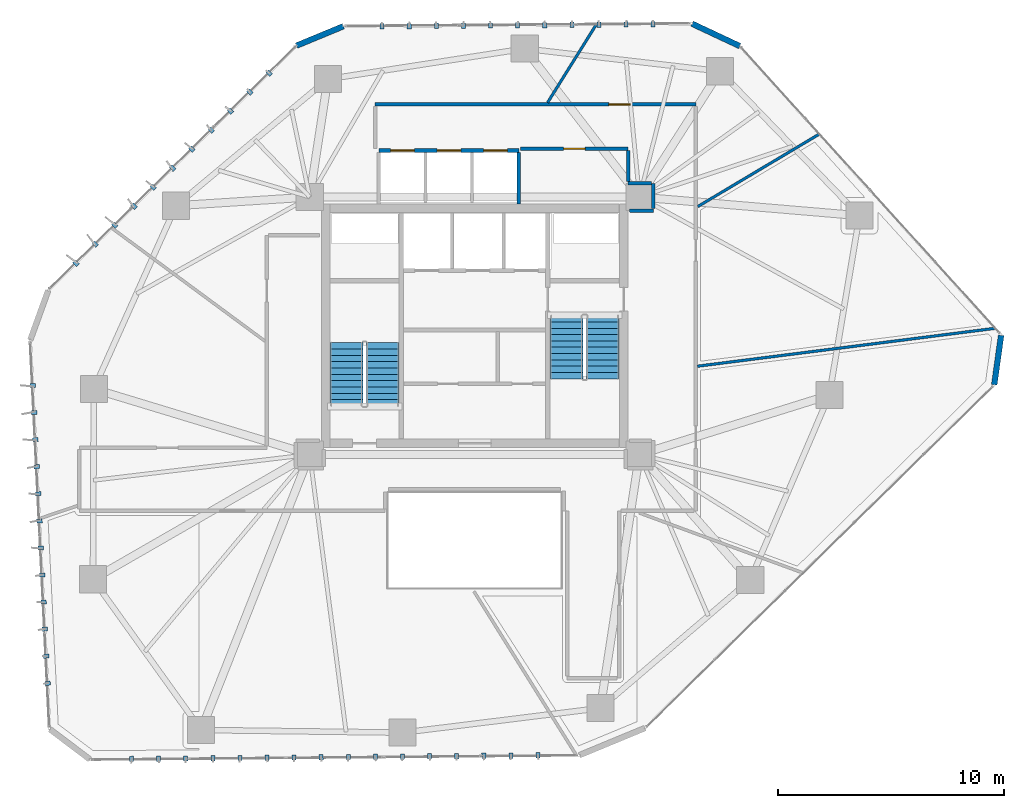
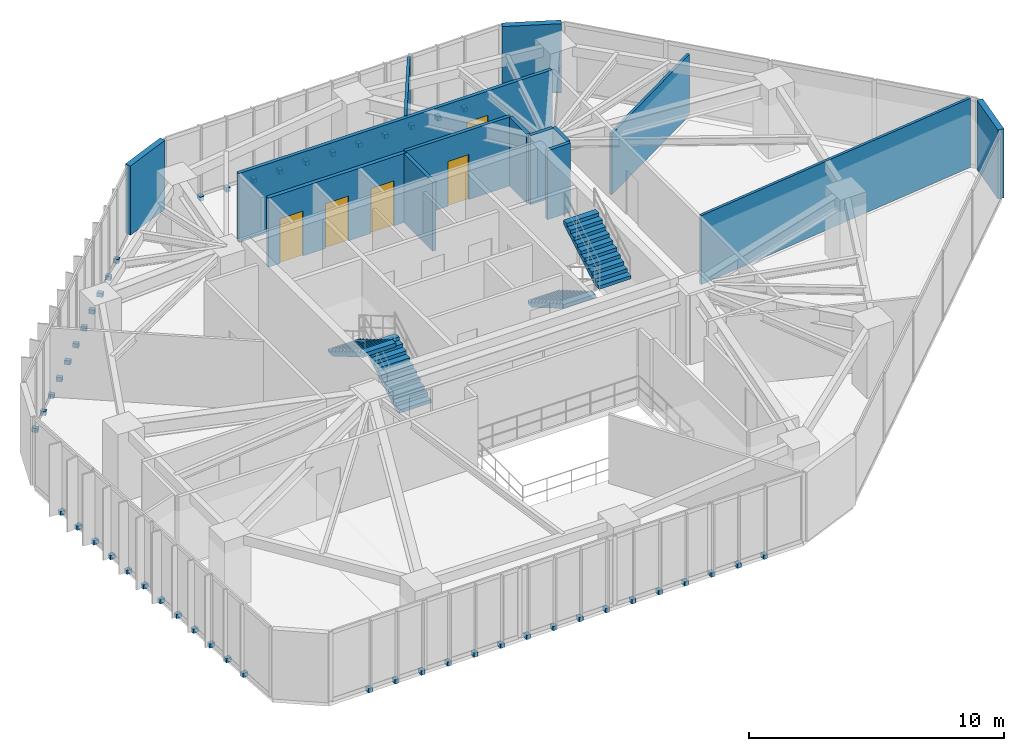
# One storey, part 19 of 21: 50 discrete accessories, 14 walls, 5 doors, 4 stair flights, 5 openings, 2 elements without a shape of their own.
"""IFC4 building model written with IfcOpenShell, lengths in metres."""

from ifc_helpers import new_model, si_unit, direction, frame, frame_2d, origin, origin_2d, place, context, subcontext, project, spatial, polyline, rectangle, outline, extrude, source, transform, mapped, material, layer, layer_set, type_object, type_shapes, element, fill, aggregate, save


model = new_model("IFC4")

# Units and contexts
model_context = context("Model", 3, precision=1e-05, world=origin(), true_north=direction((0.0, 1.0)))
body_context = subcontext(model_context, "Body", "Model", "MODEL_VIEW")
ifc_project = project(units=[si_unit("LENGTHUNIT", "METRE"), si_unit("AREAUNIT", "SQUARE_METRE"), si_unit("VOLUMEUNIT", "CUBIC_METRE"), si_unit("PLANEANGLEUNIT", "RADIAN"), si_unit("MASSUNIT", "GRAM", prefix="KILO")], contexts=[model_context])

# Site, building, storey
site_placement = place(None, origin())
site = spatial("IfcSite", under=ifc_project, at=site_placement, CompositionType="ELEMENT")
building_placement = place(site_placement, origin())
building = spatial("IfcBuilding", under=site, at=building_placement, Name="Talar Marvaseh", CompositionType="ELEMENT")
storey_placement = place(building_placement, frame((0.0, 0.0, 93.0)))
storey = spatial("IfcBuildingStorey", under=building, at=storey_placement, Name="L23", CompositionType="ELEMENT", Elevation=93.0)

# Walls
ifc_material_1 = material(Name="Precast concrete C45/55", Category="concrete")
ifc_layer_1 = layer(ifc_material_1, 0.2548828125)
ifc_layer_set_1 = layer_set([ifc_layer_1], Name="Precast concrete C45/55")
wall_type_1 = type_object("IfcWallType", Name="Chamfered Hexagonal Corner Pier Wall Z2 255", PredefinedType="SOLIDWALL", material=ifc_layer_set_1)
wall_1_placement = place(storey_placement, frame((18.114013671875, 43.605224609375, 0.0), z_axis=(0.0, 0.0, 1.0), x_axis=(0.923869697035, 0.382707176441, 0.0)))
element("IfcWall", 1, at=wall_1_placement, inside=storey, type_object=wall_type_1, Name="L23 Chamfered Corner Limestone Pier 3", PredefinedType="SOLIDWALL", context=body_context, shape_type="SweptSolid", body=[
    extrude(rectangle(XDim=2.244873046875, YDim=0.2548828125, at=frame_2d((1.12255859375, 0.0))), origin(), (0.0, 0.0, 1.0), 3.31005859375),
])
wall_2_placement = place(storey_placement, frame((35.626220703125, 44.579345703125, 0.0), z_axis=(0.0, 0.0, 1.0), x_axis=(0.905387528045, -0.42458617978, 0.0)))
element("IfcWall", 2, at=wall_2_placement, inside=storey, type_object=wall_type_1, Name="L23 Chamfered Corner Limestone Pier 4", PredefinedType="SOLIDWALL", context=body_context, shape_type="SweptSolid", body=[
    extrude(rectangle(XDim=2.3408203125, YDim=0.2548828125, at=frame_2d((1.17041015625, 0.0))), origin(), (0.0, 0.0, 1.0), 3.31005859375),
])
wall_3_placement = place(storey_placement, frame((49.317138671875, 30.77783203125, 0.0), z_axis=(0.0, 0.0, 1.0), x_axis=(-0.137904558931, -0.990445522291, 0.0)))
element("IfcWall", 3, at=wall_3_placement, inside=storey, type_object=wall_type_1, Name="L23 Chamfered Corner Limestone Pier 5", PredefinedType="SOLIDWALL", context=body_context, shape_type="SweptSolid", body=[
    extrude(rectangle(XDim=2.216552734375, YDim=0.2548828125, at=frame_2d((1.1083984375, 0.0))), origin(), (0.0, 0.0, 1.0), 3.31005859375),
])

# Wall, opening, door
ifc_material_2 = material(Name="Gypsum Board Partition Assembly")
ifc_layer_2 = layer(ifc_material_2, 0.155029296875)
ifc_layer_set_2 = layer_set([ifc_layer_2], Name="Gypsum Board Partition Assembly")
wall_type_2 = type_object("IfcWallType", Name="Corridor Fire-Rated Acoustic Partition 155", PredefinedType="PARTITIONING", material=ifc_layer_set_2)
wall_4_placement = place(storey_placement, frame((32.800048828125, 39.0400390625, 0.0), z_axis=(0.0, 0.0, 1.0), x_axis=(-1.0, 0.0, 0.0)))
wall_4 = element("IfcWall", 4, at=wall_4_placement, inside=storey, type_object=wall_type_2, Name="L23 Interior Partition Wall", PredefinedType="PARTITIONING", context=body_context, shape_type="SweptSolid", body=[
    extrude(rectangle(XDim=4.77001953125, YDim=0.155029296875, at=frame_2d((2.385009765625, 0.0))), origin(), (0.0, 0.0, 1.0), 3.31005859375),
])
opening_1_placement = place(wall_4_placement, frame((1.909912109375, 0.0, 0.0)))
opening_1 = element("IfcOpeningElement", 5, at=opening_1_placement, cuts=wall_4, Name="Opening DR-WC095", PredefinedType="OPENING", context=body_context, shape_type="SweptSolid", body=[
    extrude(rectangle(XDim=0.949951171875, YDim=2.14990234375, at=frame_2d((0.47509765625, 1.074951171875))), frame((0.0, 0.08740234375, 0.0), z_axis=(0.0, -1.0, 0.0), x_axis=(1.0, 0.0, 0.0)), (0.0, 0.0, 1.0), 0.175048828125),
])
ifc_material_3 = material(Name="Acoustic Engineered Oak Timber", Category="wood")
door_type_1 = type_object("IfcDoorType", Name="Washroom and Service Room Door 950x2150", OperationType="NOTDEFINED", PredefinedType="DOOR", material=ifc_material_3)
shared_shape_1 = source(origin(), body_context, "Body", "SweptSolid", [
    extrude(rectangle(XDim=0.949951171875, YDim=2.14990234375, at=frame_2d((0.47509765625, 1.074951171875))), frame((0.0, 0.02490234375, 0.0), z_axis=(0.0, -1.0, 0.0), x_axis=(1.0, 0.0, 0.0)), (0.0, 0.0, 1.0), 0.050048828125),
])
type_shapes(door_type_1, [shared_shape_1])
door_1_placement = place(opening_1_placement, origin())
door_1 = element("IfcDoor", 6, at=door_1_placement, inside=storey, type_object=door_type_1, Name="L23 WC Public Washrooms Door", OperationType="SINGLE_SWING_LEFT", OverallHeight=2.14990234375, OverallWidth=0.949951171875, PredefinedType="DOOR", context=body_context, shape_type="MappedRepresentation", body=[
    mapped(shared_shape_1, transform((0.0, 0.0, 0.0), x_axis=(1.0, 0.0, 0.0), y_axis=(0.0, 1.0, 0.0), z_axis=(0.0, 0.0, 1.0), scale=1.0)),
])
fill(opening_1, door_1)

wall_5_placement = place(storey_placement, frame((21.60009765625, 41.0, 0.0), z_axis=(0.0, 0.0, 1.0), x_axis=(1.0, 0.0, 0.0)))
wall_5 = element("IfcWall", 7, at=wall_5_placement, inside=storey, type_object=wall_type_2, Name="L23 Interior Partition Wall", PredefinedType="PARTITIONING", context=body_context, shape_type="SweptSolid", body=[
    extrude(rectangle(XDim=14.199951171875, YDim=0.155029296875, at=frame_2d((7.10009765625, 0.0))), origin(), (0.0, 0.0, 1.0), 3.31005859375),
])
opening_2_placement = place(wall_5_placement, frame((10.3466796875, 0.0, 0.0)))
opening_2 = element("IfcOpeningElement", 8, at=opening_2_placement, cuts=wall_5, Name="Opening DR-WC095", PredefinedType="OPENING", context=body_context, shape_type="SweptSolid", body=[
    extrude(rectangle(XDim=0.949951171875, YDim=2.14990234375, at=frame_2d((0.47509765625, 1.074951171875))), frame((0.0, 0.08740234375, 0.0), z_axis=(0.0, -1.0, 0.0), x_axis=(1.0, 0.0, 0.0)), (0.0, 0.0, 1.0), 0.175048828125),
])
door_2_placement = place(opening_2_placement, origin())
door_2 = element("IfcDoor", 9, at=door_2_placement, inside=storey, type_object=door_type_1, Name="L23 Accessible WC Block Door", OperationType="SINGLE_SWING_RIGHT", OverallHeight=2.14990234375, OverallWidth=0.949951171875, PredefinedType="DOOR", context=body_context, shape_type="MappedRepresentation", body=[
    mapped(shared_shape_1, transform((0.0, 0.0, 0.0), x_axis=(1.0, 0.0, 0.0), y_axis=(0.0, 1.0, 0.0), z_axis=(0.0, 0.0, 1.0), scale=1.0)),
])
fill(opening_2, door_2)

# Walls
wall_6_placement = place(storey_placement, frame((32.8701171875, 36.284912109375, 0.0), z_axis=(0.0, 0.0, 1.0), x_axis=(0.999895094683, 0.014484461652, 0.0)))
element("IfcWall", 10, at=wall_6_placement, inside=storey, type_object=wall_type_2, Name="L23 Interior Partition Wall", PredefinedType="PARTITIONING", context=body_context, shape_type="SweptSolid", body=[
    extrude(rectangle(XDim=1.044921875, YDim=0.155029296875, at=frame_2d((0.5224609375, 0.0))), origin(), (0.0, 0.0, 1.0), 3.31005859375),
])
wall_7_placement = place(storey_placement, frame((33.914794921875, 36.383544921875, 0.0), z_axis=(0.0, 0.0, 1.0), x_axis=(-0.003682817312, 0.999993218405, 0.0)))
element("IfcWall", 11, at=wall_7_placement, inside=storey, type_object=wall_type_2, Name="L23 Interior Partition Wall", PredefinedType="PARTITIONING", context=body_context, shape_type="SweptSolid", body=[
    extrude(rectangle(XDim=1.126953125, YDim=0.155029296875, at=frame_2d((0.5634765625, 0.0))), origin(), (0.0, 0.0, 1.0), 3.31005859375),
])
wall_8_placement = place(storey_placement, frame((33.8271484375, 37.510986328125, 0.0), z_axis=(0.0, 0.0, 1.0), x_axis=(-0.99999276797, 0.003803157663, 0.0)))
element("IfcWall", 12, at=wall_8_placement, inside=storey, type_object=wall_type_2, Name="L23 Interior Partition Wall", PredefinedType="PARTITIONING", context=body_context, shape_type="SweptSolid", body=[
    extrude(rectangle(XDim=1.027099609375, YDim=0.155029296875, at=frame_2d((0.513671875, 0.0))), origin(), (0.0, 0.0, 1.0), 3.31005859375),
])
wall_9_placement = place(storey_placement, frame((32.800048828125, 37.598388671875, 0.0), z_axis=(0.0, 0.0, 1.0), x_axis=(0.0, 1.0, 0.0)))
element("IfcWall", 13, at=wall_9_placement, inside=storey, type_object=wall_type_2, Name="L23 Interior Partition Wall", PredefinedType="PARTITIONING", context=body_context, shape_type="SweptSolid", body=[
    extrude(rectangle(XDim=1.358154296875, YDim=0.155029296875, at=frame_2d((0.67919921875, 0.0))), origin(), (0.0, 0.0, 1.0), 3.31005859375),
])
ifc_layer_3 = layer(ifc_material_2, 0.1201171875)
ifc_layer_set_3 = layer_set([ifc_layer_3], Name="Gypsum Board Partition Assembly")
wall_type_3 = type_object("IfcWallType", Name="Demountable Studio Room Partition 120", PredefinedType="PARTITIONING", material=ifc_layer_set_3)
wall_10_placement = place(storey_placement, frame((35.864501953125, 29.408203125, 0.0), z_axis=(0.0, 0.0, 1.0), x_axis=(0.991981829348, 0.126380577002, 0.0)))
element("IfcWall", 14, at=wall_10_placement, inside=storey, type_object=wall_type_3, Name="L23 Interior Partition Wall", PredefinedType="PARTITIONING", context=body_context, shape_type="SweptSolid", body=[
    extrude(rectangle(XDim=13.281005859375, YDim=0.1201171875, at=frame_2d((6.640625, 0.0))), origin(), (0.0, 0.0, 1.0), 3.31005859375),
])
wall_11_placement = place(storey_placement, frame((35.883544921875, 36.479736328125, 0.0), z_axis=(0.0, 0.0, 1.0), x_axis=(0.858909315758, 0.51212770605, 0.0)))
element("IfcWall", 15, at=wall_11_placement, inside=storey, type_object=wall_type_3, Name="L23 Interior Partition Wall", PredefinedType="PARTITIONING", context=body_context, shape_type="SweptSolid", body=[
    extrude(rectangle(XDim=6.251708984375, YDim=0.1201171875, at=frame_2d((3.1259765625, 0.0))), origin(), (0.0, 0.0, 1.0), 2.927001953125),
])
wall_12_placement = place(storey_placement, frame((29.232177734375, 41.08349609375, 0.0), z_axis=(0.0, 0.0, 1.0), x_axis=(0.529318526842, 0.848423182817, 0.0)))
element("IfcWall", 16, at=wall_12_placement, inside=storey, type_object=wall_type_3, Name="L23 Interior Partition Wall", PredefinedType="PARTITIONING", context=body_context, shape_type="SweptSolid", body=[
    extrude(rectangle(XDim=4.06494140625, YDim=0.1201171875, at=frame_2d((2.032470703125, 0.0))), origin(), (0.0, 0.0, 1.0), 3.31005859375),
])
ifc_layer_4 = layer(ifc_material_1, 0.14501953125)
ifc_layer_set_4 = layer_set([ifc_layer_4], Name="Precast concrete C45/55")
wall_type_4 = type_object("IfcWallType", Name="Fire-Rated Lift Divider Wall 145", PredefinedType="SOLIDWALL", material=ifc_layer_set_4)
wall_13_placement = place(storey_placement, frame((27.9599609375, 36.60009765625, 0.0), z_axis=(0.0, 0.0, 1.0), x_axis=(0.0, 1.0, 0.0)))
element("IfcWall", 17, at=wall_13_placement, inside=storey, type_object=wall_type_4, Name="L23 Low-Rise Bank East Wall", PredefinedType="SOLIDWALL", context=body_context, shape_type="SweptSolid", body=[
    extrude(rectangle(XDim=2.266357421875, YDim=0.14501953125, at=frame_2d((1.13330078125, 0.0))), origin(), (0.0, 0.0, 1.0), 3.31005859375),
])

# Wall, openings, doors
ifc_layer_5 = layer(ifc_material_1, 0.175048828125)
ifc_layer_set_5 = layer_set([ifc_layer_5], Name="Precast concrete C45/55")
wall_type_5 = type_object("IfcWallType", Name="Fire-Rated Lift Hoistway Enclosure Wall 175", PredefinedType="SOLIDWALL", material=ifc_layer_set_5)
wall_14_placement = place(storey_placement, frame((21.760009765625, 38.9599609375, 0.0), z_axis=(0.0, 0.0, 1.0), x_axis=(1.0, 0.0, 0.0)))
wall_14 = element("IfcWall", 18, at=wall_14_placement, inside=storey, type_object=wall_type_5, Name="L23 Low-Rise Lift Bank Front Wall", PredefinedType="SOLIDWALL", context=body_context, shape_type="SweptSolid", body=[
    extrude(rectangle(XDim=6.199951171875, YDim=0.175048828125, at=frame_2d((3.10009765625, 0.0))), origin(), (0.0, 0.0, 1.0), 3.31005859375),
])
opening_3_placement = place(wall_14_placement, frame((0.52001953125, 0.0, 0.0)))
opening_3 = element("IfcOpeningElement", 19, at=opening_3_placement, cuts=wall_14, Name="Opening LD-PLL1", PredefinedType="OPENING", context=body_context, shape_type="SweptSolid", body=[
    extrude(rectangle(XDim=1.050048828125, YDim=2.14990234375, at=frame_2d((0.52490234375, 1.074951171875))), frame((0.0, 0.09765625, 0.0), z_axis=(0.0, -1.0, 0.0), x_axis=(1.0, 0.0, 0.0)), (0.0, 0.0, 1.0), 0.195068359375),
])
opening_4_placement = place(wall_14_placement, frame((2.580078125, 0.0, 0.0)))
opening_4 = element("IfcOpeningElement", 20, at=opening_4_placement, cuts=wall_14, Name="Opening LD-PLL2", PredefinedType="OPENING", context=body_context, shape_type="SweptSolid", body=[
    extrude(rectangle(XDim=1.050048828125, YDim=2.14990234375, at=frame_2d((0.52490234375, 1.074951171875))), frame((0.0, 0.09765625, 0.0), z_axis=(0.0, -1.0, 0.0), x_axis=(1.0, 0.0, 0.0)), (0.0, 0.0, 1.0), 0.195068359375),
])
opening_5_placement = place(wall_14_placement, frame((4.639892578125, 0.0, 0.0)))
opening_5 = element("IfcOpeningElement", 21, at=opening_5_placement, cuts=wall_14, Name="Opening LD-PLL3", PredefinedType="OPENING", context=body_context, shape_type="SweptSolid", body=[
    extrude(rectangle(XDim=1.050048828125, YDim=2.14990234375, at=frame_2d((0.52490234375, 1.074951171875))), frame((0.0, 0.09765625, 0.0), z_axis=(0.0, -1.0, 0.0), x_axis=(1.0, 0.0, 0.0)), (0.0, 0.0, 1.0), 0.195068359375),
])
ifc_material_4 = material(Name="Stainless Steel Grade 316", Category="steel")
door_type_2 = type_object("IfcDoorType", Name="Automatic Sliding Lift Landing Door 1050x2150", OperationType="NOTDEFINED", PredefinedType="DOOR", material=ifc_material_4)
shared_shape_2 = source(origin(), body_context, "Body", "SweptSolid", [
    extrude(rectangle(XDim=1.050048828125, YDim=2.14990234375, at=frame_2d((0.52490234375, 1.074951171875))), frame((0.0, 0.02490234375, 0.0), z_axis=(0.0, -1.0, 0.0), x_axis=(1.0, 0.0, 0.0)), (0.0, 0.0, 1.0), 0.050048828125),
])
type_shapes(door_type_2, [shared_shape_2])
door_3_placement = place(opening_3_placement, origin())
door_3 = element("IfcDoor", 22, at=door_3_placement, inside=storey, type_object=door_type_2, Name="L23 Lift PL-L1 Sliding Landing Door", OperationType="SLIDING_TO_LEFT", OverallHeight=2.14990234375, OverallWidth=1.050048828125, PredefinedType="DOOR", context=body_context, shape_type="MappedRepresentation", body=[
    mapped(shared_shape_2, transform((0.0, 0.0, 0.0), x_axis=(1.0, 0.0, 0.0), y_axis=(0.0, 1.0, 0.0), z_axis=(0.0, 0.0, 1.0), scale=1.0)),
])
fill(opening_3, door_3)
door_4_placement = place(opening_4_placement, origin())
door_4 = element("IfcDoor", 23, at=door_4_placement, inside=storey, type_object=door_type_2, Name="L23 Lift PL-L2 Sliding Landing Door", OperationType="SLIDING_TO_LEFT", OverallHeight=2.14990234375, OverallWidth=1.050048828125, PredefinedType="DOOR", context=body_context, shape_type="MappedRepresentation", body=[
    mapped(shared_shape_2, transform((0.0, 0.0, 0.0), x_axis=(1.0, 0.0, 0.0), y_axis=(0.0, 1.0, 0.0), z_axis=(0.0, 0.0, 1.0), scale=1.0)),
])
fill(opening_4, door_4)
door_5_placement = place(opening_5_placement, origin())
door_5 = element("IfcDoor", 24, at=door_5_placement, inside=storey, type_object=door_type_2, Name="L23 Lift PL-L3 Sliding Landing Door", OperationType="SLIDING_TO_LEFT", OverallHeight=2.14990234375, OverallWidth=1.050048828125, PredefinedType="DOOR", context=body_context, shape_type="MappedRepresentation", body=[
    mapped(shared_shape_2, transform((0.0, 0.0, 0.0), x_axis=(1.0, 0.0, 0.0), y_axis=(0.0, 1.0, 0.0), z_axis=(0.0, 0.0, 1.0), scale=1.0)),
])
fill(opening_5, door_5)

# Stair, stair flights
ifc_material_5 = material(Name="Concrete C40/50", Category="concrete")
stair_type = type_object("IfcStairType", Name="Reinforced Concrete Half-Turn Exit Stair Type B", PredefinedType="HALF_TURN_STAIR", material=ifc_material_5)
stair_1_placement = place(storey_placement, origin())
stair_1 = element("IfcStair", 25, at=stair_1_placement, inside=storey, type_object=stair_type, Name="L23 Tower West Core Exit Stair", PredefinedType="HALF_TURN_STAIR")
ifc_layer_6 = layer(ifc_material_5, 0.159912109375)
ifc_layer_set_6 = layer_set([ifc_layer_6], Name="Concrete C40/50")
stair_flight_type = type_object("IfcStairFlightType", Name="Reinforced Concrete Straight Stair Flight 160", PredefinedType="STRAIGHT", material=ifc_layer_set_6)
stair_flight_1_placement = place(storey_placement, frame((21.93505859375, 27.64990234375, 0.0), z_axis=(0.0, 0.0, 1.0), x_axis=(0.0, 1.0, 0.0)))
stair_flight_1 = element("IfcStairFlight", 26, at=stair_flight_1_placement, type_object=stair_flight_type, Name="ST-1 flight 1", NumberOfRisers=11, NumberOfTreads=10, PredefinedType="STRAIGHT", RiserHeight=0.163636364, TreadLength=0.28, context=body_context, shape_type="SweptSolid", body=[
    extrude(outline(polyline([(0.0, 0.0), (0.0, 0.16357421875), (0.280029296875, 0.16357421875), (0.280029296875, 0.327392578125), (0.56005859375, 0.327392578125), (0.56005859375, 0.490966796875), (0.840087890625, 0.490966796875), (0.840087890625, 0.654541015625), (1.1201171875, 0.654541015625), (1.1201171875, 0.818115234375), (1.39990234375, 0.818115234375), (1.39990234375, 0.98193359375), (1.679931640625, 0.98193359375), (1.679931640625, 1.1455078125), (1.9599609375, 1.1455078125), (1.9599609375, 1.30908203125), (2.239990234375, 1.30908203125), (2.239990234375, 1.47265625), (2.52001953125, 1.47265625), (2.52001953125, 1.636474609375), (2.800048828125, 1.636474609375), (2.800048828125, 1.800048828125), (2.800048828125, 1.451171875), (0.31689453125, 0.0), (0.0, 0.0)])), frame((0.0, 0.72509765625, 0.0), z_axis=(0.0, -1.0, 0.0), x_axis=(1.0, 0.0, 0.0)), (0.0, 0.0, 1.0), 1.449951171875),
])
stair_flight_2_placement = place(storey_placement, frame((20.324951171875, 30.449951171875, 1.800048828125), z_axis=(0.0, 0.0, 1.0), x_axis=(0.0, -1.0, 0.0)))
stair_flight_2 = element("IfcStairFlight", 27, at=stair_flight_2_placement, type_object=stair_flight_type, Name="ST-1 flight 2", NumberOfRisers=11, NumberOfTreads=10, PredefinedType="STRAIGHT", RiserHeight=0.163636364, TreadLength=0.28, context=body_context, shape_type="SweptSolid", body=[
    extrude(outline(polyline([(0.0, 0.0), (0.0, 0.16357421875), (0.280029296875, 0.16357421875), (0.280029296875, 0.327392578125), (0.56005859375, 0.327392578125), (0.56005859375, 0.490966796875), (0.840087890625, 0.490966796875), (0.840087890625, 0.654541015625), (1.1201171875, 0.654541015625), (1.1201171875, 0.818115234375), (1.39990234375, 0.818115234375), (1.39990234375, 0.98193359375), (1.679931640625, 0.98193359375), (1.679931640625, 1.1455078125), (1.9599609375, 1.1455078125), (1.9599609375, 1.30908203125), (2.239990234375, 1.30908203125), (2.239990234375, 1.47265625), (2.52001953125, 1.47265625), (2.52001953125, 1.636474609375), (2.800048828125, 1.636474609375), (2.800048828125, 1.800048828125), (2.800048828125, 1.451171875), (0.31689453125, 0.0), (0.0, 0.0)])), frame((0.0, 0.72509765625, 0.0), z_axis=(0.0, -1.0, 0.0), x_axis=(1.0, 0.0, 0.0)), (0.0, 0.0, 1.0), 1.449951171875),
])
aggregate(stair_1, [stair_flight_1, stair_flight_2])

stair_2_placement = place(storey_placement, origin())
stair_2 = element("IfcStair", 28, at=stair_2_placement, inside=storey, type_object=stair_type, Name="L23 Tower East Core Exit Stair", PredefinedType="HALF_TURN_STAIR")
stair_flight_3_placement = place(storey_placement, frame((30.06494140625, 31.64990234375, 0.0), z_axis=(0.0, 0.0, 1.0), x_axis=(0.0, -1.0, 0.0)))
stair_flight_3 = element("IfcStairFlight", 29, at=stair_flight_3_placement, type_object=stair_flight_type, Name="ST-2 flight 1", NumberOfRisers=11, NumberOfTreads=10, PredefinedType="STRAIGHT", RiserHeight=0.163636364, TreadLength=0.28, context=body_context, shape_type="SweptSolid", body=[
    extrude(outline(polyline([(0.0, 0.0), (0.0, 0.16357421875), (0.280029296875, 0.16357421875), (0.280029296875, 0.327392578125), (0.56005859375, 0.327392578125), (0.56005859375, 0.490966796875), (0.840087890625, 0.490966796875), (0.840087890625, 0.654541015625), (1.1201171875, 0.654541015625), (1.1201171875, 0.818115234375), (1.39990234375, 0.818115234375), (1.39990234375, 0.98193359375), (1.679931640625, 0.98193359375), (1.679931640625, 1.1455078125), (1.9599609375, 1.1455078125), (1.9599609375, 1.30908203125), (2.239990234375, 1.30908203125), (2.239990234375, 1.47265625), (2.52001953125, 1.47265625), (2.52001953125, 1.636474609375), (2.800048828125, 1.636474609375), (2.800048828125, 1.800048828125), (2.800048828125, 1.451171875), (0.31689453125, 0.0), (0.0, 0.0)])), frame((0.0, 0.72509765625, 0.0), z_axis=(0.0, -1.0, 0.0), x_axis=(1.0, 0.0, 0.0)), (0.0, 0.0, 1.0), 1.449951171875),
])
stair_flight_4_placement = place(storey_placement, frame((31.675048828125, 28.85009765625, 1.800048828125), z_axis=(0.0, 0.0, 1.0), x_axis=(0.0, 1.0, 0.0)))
stair_flight_4 = element("IfcStairFlight", 30, at=stair_flight_4_placement, type_object=stair_flight_type, Name="ST-2 flight 2", NumberOfRisers=11, NumberOfTreads=10, PredefinedType="STRAIGHT", RiserHeight=0.163636364, TreadLength=0.28, context=body_context, shape_type="SweptSolid", body=[
    extrude(outline(polyline([(0.0, 0.0), (0.0, 0.16357421875), (0.280029296875, 0.16357421875), (0.280029296875, 0.327392578125), (0.56005859375, 0.327392578125), (0.56005859375, 0.490966796875), (0.840087890625, 0.490966796875), (0.840087890625, 0.654541015625), (1.1201171875, 0.654541015625), (1.1201171875, 0.818115234375), (1.39990234375, 0.818115234375), (1.39990234375, 0.98193359375), (1.679931640625, 0.98193359375), (1.679931640625, 1.1455078125), (1.9599609375, 1.1455078125), (1.9599609375, 1.30908203125), (2.239990234375, 1.30908203125), (2.239990234375, 1.47265625), (2.52001953125, 1.47265625), (2.52001953125, 1.636474609375), (2.800048828125, 1.636474609375), (2.800048828125, 1.800048828125), (2.800048828125, 1.451171875), (0.31689453125, 0.0), (0.0, 0.0)])), frame((0.0, 0.72509765625, 0.0), z_axis=(0.0, -1.0, 0.0), x_axis=(1.0, 0.0, 0.0)), (0.0, 0.0, 1.0), 1.449951171875),
])
aggregate(stair_2, [stair_flight_3, stair_flight_4])

# Discrete accessories
discrete_accessory_type = type_object("IfcDiscreteAccessoryType", Name="Stainless Slab-Edge Fin Mounting Bracket", PredefinedType="BRACKET", material=ifc_material_4)
shared_shape_3 = source(origin(), body_context, "Body", "SweptSolid", [
    extrude(rectangle(XDim=0.239990234375, YDim=0.179931640625, at=origin_2d()), origin(), (0.0, 0.0, 1.0), 0.199951171875),
])
type_shapes(discrete_accessory_type, [shared_shape_3])
for number, where, z_axis, x_axis, name in (
    (31, (7.091552734375, 15.369384765625, -0.18017578125), (0.0, 0.0, 1.0), (-0.998763127564, -0.049721373869, 0.0), "L23 Vertical Fin Slab-Edge Bracket"),
    (32, (7.031982421875, 16.56787109375, -0.18017578125), (0.0, 0.0, 1.0), (-0.998763127564, -0.049721373869, 0.0), "L23 Vertical Fin Slab-Edge Bracket"),
    (33, (6.972412109375, 17.766357421875, -0.18017578125), (0.0, 0.0, 1.0), (-0.998763127564, -0.049721373869, 0.0), "L23 Vertical Fin Slab-Edge Bracket"),
    (34, (6.912841796875, 18.96484375, -0.18017578125), (0.0, 0.0, 1.0), (-0.998763127564, -0.049721373869, 0.0), "L23 Vertical Fin Slab-Edge Bracket"),
    (35, (6.853271484375, 20.163330078125, -0.18017578125), (0.0, 0.0, 1.0), (-0.998763127564, -0.049721373869, 0.0), "L23 Vertical Fin Slab-Edge Bracket"),
    (36, (6.793701171875, 21.362060546875, -0.18017578125), (0.0, 0.0, 1.0), (-0.998763127564, -0.049721373869, 0.0), "L23 Vertical Fin Slab-Edge Bracket"),
    (37, (6.73388671875, 22.560546875, -0.18017578125), (0.0, 0.0, 1.0), (-0.998763127564, -0.049721373869, 0.0), "L23 Vertical Fin Slab-Edge Bracket"),
    (38, (6.67431640625, 23.759033203125, -0.18017578125), (0.0, 0.0, 1.0), (-0.998763127564, -0.049721373869, 0.0), "L23 Vertical Fin Slab-Edge Bracket"),
    (39, (6.61474609375, 24.95751953125, -0.18017578125), (0.0, 0.0, 1.0), (-0.998763127564, -0.049721373869, 0.0), "L23 Vertical Fin Slab-Edge Bracket"),
    (40, (6.55517578125, 26.156005859375, -0.18017578125), (0.0, 0.0, 1.0), (-0.998763127564, -0.049721373869, 0.0), "L23 Vertical Fin Slab-Edge Bracket"),
    (41, (6.49560546875, 27.3544921875, -0.18017578125), (0.0, 0.0, 1.0), (-0.998763127564, -0.049721373869, 0.0), "L23 Vertical Fin Slab-Edge Bracket"),
    (42, (6.43603515625, 28.552978515625, -0.18017578125), (0.0, 0.0, 1.0), (-0.998763127564, -0.049721373869, 0.0), "L23 Vertical Fin Slab-Edge Bracket"),
    (43, (8.352294921875, 33.9677734375, -0.18017578125), (0.0, 0.0, 1.0), (-0.701780140797, 0.71239359485, 0.0), "L23 Vertical Fin Slab-Edge Bracket"),
    (44, (9.20703125, 34.809814453125, -0.18017578125), (0.0, 0.0, 1.0), (-0.701780140797, 0.71239359485, 0.0), "L23 Vertical Fin Slab-Edge Bracket"),
    (45, (10.06201171875, 35.652099609375, -0.18017578125), (0.0, 0.0, 1.0), (-0.701780140797, 0.71239359485, 0.0), "L23 Vertical Fin Slab-Edge Bracket"),
    (46, (10.9169921875, 36.494140625, -0.18017578125), (0.0, 0.0, 1.0), (-0.701780140797, 0.71239359485, 0.0), "L23 Vertical Fin Slab-Edge Bracket"),
    (47, (11.771728515625, 37.336181640625, -0.18017578125), (0.0, 0.0, 1.0), (-0.701780140797, 0.71239359485, 0.0), "L23 Vertical Fin Slab-Edge Bracket"),
    (48, (12.626708984375, 38.17822265625, -0.18017578125), (0.0, 0.0, 1.0), (-0.701780140797, 0.71239359485, 0.0), "L23 Vertical Fin Slab-Edge Bracket"),
    (49, (13.481689453125, 39.0205078125, -0.18017578125), (0.0, 0.0, 1.0), (-0.701780140797, 0.71239359485, 0.0), "L23 Vertical Fin Slab-Edge Bracket"),
    (50, (14.33642578125, 39.862548828125, -0.18017578125), (0.0, 0.0, 1.0), (-0.701780140797, 0.71239359485, 0.0), "L23 Vertical Fin Slab-Edge Bracket"),
    (51, (15.19140625, 40.70458984375, -0.18017578125), (0.0, 0.0, 1.0), (-0.701780140797, 0.71239359485, 0.0), "L23 Vertical Fin Slab-Edge Bracket"),
    (52, (16.04638671875, 41.546875, -0.18017578125), (0.0, 0.0, 1.0), (-0.701780140797, 0.71239359485, 0.0), "L23 Vertical Fin Slab-Edge Bracket"),
    (53, (16.901123046875, 42.388916015625, -0.18017578125), (0.0, 0.0, 1.0), (-0.701780140797, 0.71239359485, 0.0), "L23 Vertical Fin Slab-Edge Bracket"),
    (54, (21.90576171875, 44.4619140625, -0.18017578125), (0.0, 0.0, 1.0), (-0.007504845333, 0.999971838252, 0.0), "L23 Vertical Fin Slab-Edge Bracket"),
    (55, (23.105712890625, 44.470703125, -0.18017578125), (0.0, 0.0, 1.0), (-0.007504845333, 0.999971838252, 0.0), "L23 Vertical Fin Slab-Edge Bracket"),
    (56, (24.305908203125, 44.47998046875, -0.18017578125), (0.0, 0.0, 1.0), (-0.007504845333, 0.999971838252, 0.0), "L23 Vertical Fin Slab-Edge Bracket"),
    (57, (25.505615234375, 44.489013671875, -0.18017578125), (0.0, 0.0, 1.0), (-0.007504845333, 0.999971838252, 0.0), "L23 Vertical Fin Slab-Edge Bracket"),
    (58, (26.705810546875, 44.498046875, -0.18017578125), (0.0, 0.0, 1.0), (-0.007504845333, 0.999971838252, 0.0), "L23 Vertical Fin Slab-Edge Bracket"),
    (59, (27.905517578125, 44.507080078125, -0.18017578125), (0.0, 0.0, 1.0), (-0.007504845333, 0.999971838252, 0.0), "L23 Vertical Fin Slab-Edge Bracket"),
    (60, (29.105712890625, 44.51611328125, -0.18017578125), (0.0, 0.0, 1.0), (-0.007504845333, 0.999971838252, 0.0), "L23 Vertical Fin Slab-Edge Bracket"),
    (61, (30.3056640625, 44.525146484375, -0.18017578125), (0.0, 0.0, 1.0), (-0.007504845333, 0.999971838252, 0.0), "L23 Vertical Fin Slab-Edge Bracket"),
    (62, (31.505615234375, 44.5341796875, -0.18017578125), (0.0, 0.0, 1.0), (-0.007504845333, 0.999971838252, 0.0), "L23 Vertical Fin Slab-Edge Bracket"),
    (63, (32.70556640625, 44.543212890625, -0.18017578125), (0.0, 0.0, 1.0), (-0.007504845333, 0.999971838252, 0.0), "L23 Vertical Fin Slab-Edge Bracket"),
    (64, (33.905517578125, 44.55224609375, -0.18017578125), (0.0, 0.0, 1.0), (-0.007504845333, 0.999971838252, 0.0), "L23 Vertical Fin Slab-Edge Bracket"),
    (65, (28.8076171875, 12.177734375, -0.18017578125), (0.0, 0.0, 1.0), (0.008901061644, -0.999960384766, 0.0), "L23 Vertical Fin Slab-Edge Bracket"),
    (66, (27.607421875, 12.1669921875, -0.18017578125), (0.0, 0.0, 1.0), (0.008901061644, -0.999960384766, 0.0), "L23 Vertical Fin Slab-Edge Bracket"),
    (67, (26.40771484375, 12.156494140625, -0.18017578125), (0.0, 0.0, 1.0), (0.008901061644, -0.999960384766, 0.0), "L23 Vertical Fin Slab-Edge Bracket"),
    (68, (25.20751953125, 12.145751953125, -0.18017578125), (0.0, 0.0, 1.0), (0.008901061644, -0.999960384766, 0.0), "L23 Vertical Fin Slab-Edge Bracket"),
    (69, (24.0078125, 12.135009765625, -0.18017578125), (0.0, 0.0, 1.0), (0.008901061644, -0.999960384766, 0.0), "L23 Vertical Fin Slab-Edge Bracket"),
    (70, (22.8076171875, 12.12451171875, -0.18017578125), (0.0, 0.0, 1.0), (0.008901061644, -0.999960384766, 0.0), "L23 Vertical Fin Slab-Edge Bracket"),
    (71, (21.60791015625, 12.11376953125, -0.18017578125), (0.0, 0.0, 1.0), (0.008901061644, -0.999960384766, 0.0), "L23 Vertical Fin Slab-Edge Bracket"),
    (72, (20.40771484375, 12.10302734375, -0.18017578125), (0.0, 0.0, 1.0), (0.008901061644, -0.999960384766, 0.0), "L23 Vertical Fin Slab-Edge Bracket"),
    (73, (19.2080078125, 12.092529296875, -0.18017578125), (0.0, 0.0, 1.0), (0.008901061644, -0.999960384766, 0.0), "L23 Vertical Fin Slab-Edge Bracket"),
    (74, (18.0078125, 12.081787109375, -0.18017578125), (0.0, 0.0, 1.0), (0.008901061644, -0.999960384766, 0.0), "L23 Vertical Fin Slab-Edge Bracket"),
    (75, (16.80810546875, 12.0712890625, -0.18017578125), (0.0, 0.0, 1.0), (0.008901061644, -0.999960384766, 0.0), "L23 Vertical Fin Slab-Edge Bracket"),
    (76, (15.60791015625, 12.060546875, -0.18017578125), (0.0, 0.0, 1.0), (0.008901061644, -0.999960384766, 0.0), "L23 Vertical Fin Slab-Edge Bracket"),
    (77, (14.408203125, 12.0498046875, -0.18017578125), (0.0, 0.0, 1.0), (0.008901061644, -0.999960384766, 0.0), "L23 Vertical Fin Slab-Edge Bracket"),
    (78, (13.2080078125, 12.039306640625, -0.18017578125), (0.0, 0.0, 1.0), (0.008901061644, -0.999960384766, 0.0), "L23 Vertical Fin Slab-Edge Bracket"),
    (79, (12.00830078125, 12.028564453125, -0.18017578125), (0.0, 0.0, 1.0), (0.008901061644, -0.999960384766, 0.0), "L23 Vertical Fin Slab-Edge Bracket"),
    (80, (10.80810546875, 12.017822265625, -0.18017578125), (0.0, 0.0, 1.0), (0.008901061644, -0.999960384766, 0.0), "L23 Vertical Fin Slab-Edge Bracket"),
):
    element("IfcDiscreteAccessory", number, at=place(storey_placement, frame(where, z_axis=z_axis, x_axis=x_axis)), inside=storey, type_object=discrete_accessory_type, Name=name, PredefinedType="BRACKET", context=body_context, shape_type="MappedRepresentation", body=[
        mapped(shared_shape_3, transform((0.0, 0.0, 0.0), x_axis=(1.0, 0.0, 0.0), y_axis=(0.0, 1.0, 0.0), z_axis=(0.0, 0.0, 1.0), scale=1.0)),
    ])

save(model, "model.ifc")
